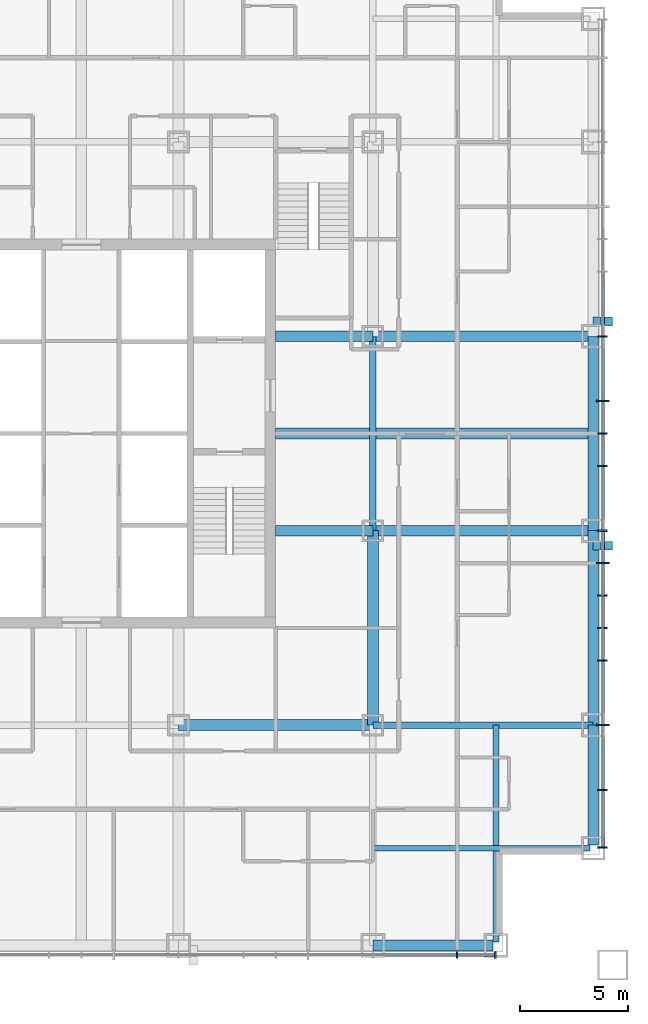
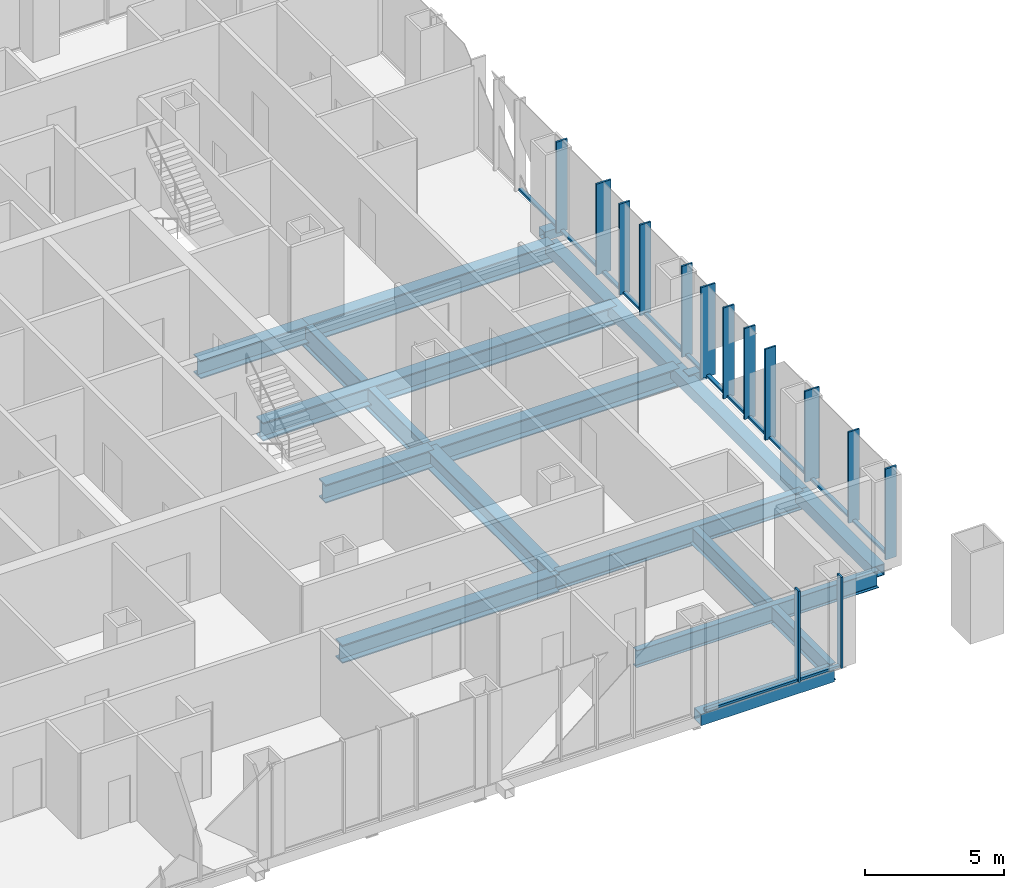
# One storey, part 4 of 18: 30 members, 15 beams, 2 elements without a shape of their own.
"""IFC4 building model written with IfcOpenShell, lengths in metres."""

from ifc_helpers import new_model, si_unit, direction, frame, origin, origin_2d, place, context, subcontext, project, spatial, rectangle, hollow_rectangle, i_section, extrude, material, layer, layer_set, material_profile, profile_set, type_object, element, aggregate, save


model = new_model("IFC4")

# Units and contexts
model_context = context("Model", 3, precision=1e-05, world=origin(), true_north=direction((0.0, 1.0)))
body_context = subcontext(model_context, "Body", "Model", "MODEL_VIEW")
ifc_project = project(units=[si_unit("LENGTHUNIT", "METRE"), si_unit("AREAUNIT", "SQUARE_METRE"), si_unit("VOLUMEUNIT", "CUBIC_METRE"), si_unit("PLANEANGLEUNIT", "RADIAN"), si_unit("MASSUNIT", "GRAM", prefix="KILO")], contexts=[model_context])

# Site, building, storey
site_placement = place(None, origin())
site = spatial("IfcSite", under=ifc_project, at=site_placement, CompositionType="ELEMENT")
building_placement = place(site_placement, origin())
building = spatial("IfcBuilding", under=site, at=building_placement, Name="Malebo Sky Hospital", CompositionType="ELEMENT")
storey_placement = place(building_placement, frame((0.0, 0.0, 124.0)))
storey = spatial("IfcBuildingStorey", under=building, at=storey_placement, Name="L29", CompositionType="ELEMENT", Elevation=124.0)

# Curtain wall, members
ifc_material_1 = material(Name="Anodised aluminium, natural silver", Category="aluminium")
ifc_layer_1 = layer(ifc_material_1, 0.25)
ifc_layer_set_1 = layer_set([ifc_layer_1], Name="WARD CURTAIN WALL NORTH AND SOUTH")
curtain_wall_type_1 = type_object("IfcCurtainWallType", Name="WARD CURTAIN WALL NORTH AND SOUTH", PredefinedType="NOTDEFINED", material=ifc_layer_set_1)
curtain_wall_1_placement = place(storey_placement, origin())
curtain_wall_1 = element("IfcCurtainWall", 1, at=curtain_wall_1_placement, inside=storey, type_object=curtain_wall_type_1, Name="NS curtain wall S", PredefinedType="NOTDEFINED")
ifc_material_profile_1 = material_profile(ifc_material_1, rectangle(XDim=0.14990234375, YDim=0.10009765625, at=origin_2d()), Name="ALUMINIUM TRANSOM 150x100")
ifc_profile_set_1 = profile_set([ifc_material_profile_1], Name="Anodised aluminium, natural silver")
member_type_1 = type_object("IfcMemberType", Name="ALUMINIUM TRANSOM 150x100", PredefinedType="USERDEFINED", material=ifc_profile_set_1)
member_1_placement = place(storey_placement, frame((79.125, 37.864990234375, 0.050048828125), z_axis=(-1.0, 0.0, 0.0), x_axis=(0.0, -1.0, 0.0)))
member_1 = element("IfcMember", 2, at=member_1_placement, type_object=member_type_1, Name="Transom 1", ObjectType="TRANSOM", PredefinedType="USERDEFINED", context=body_context, shape_type="SweptSolid", body=[
    extrude(rectangle(XDim=0.14990234375, YDim=0.10009765625, at=origin_2d()), origin(), (0.0, 0.0, 1.0), 1.6875),
])
member_2_placement = place(storey_placement, frame((77.362548828125, 37.864990234375, 0.050048828125), z_axis=(-1.0, 0.0, 0.0), x_axis=(0.0, -1.0, 0.0)))
member_2 = element("IfcMember", 3, at=member_2_placement, type_object=member_type_1, Name="Transom 2", ObjectType="TRANSOM", PredefinedType="USERDEFINED", context=body_context, shape_type="SweptSolid", body=[
    extrude(rectangle(XDim=0.14990234375, YDim=0.10009765625, at=origin_2d()), origin(), (0.0, 0.0, 1.0), 3.824951171875),
])

ifc_layer_2 = layer(ifc_material_1, 0.25)
ifc_layer_set_2 = layer_set([ifc_layer_2], Name="WARD CURTAIN WALL EAST AND WEST")
curtain_wall_type_2 = type_object("IfcCurtainWallType", Name="WARD CURTAIN WALL EAST AND WEST", PredefinedType="NOTDEFINED", material=ifc_layer_set_2)
curtain_wall_2_placement = place(storey_placement, origin())
curtain_wall_2 = element("IfcCurtainWall", 4, at=curtain_wall_2_placement, inside=storey, type_object=curtain_wall_type_2, Name="EW curtain wall E", PredefinedType="NOTDEFINED")
member_3_placement = place(storey_placement, frame((84.135009765625, 69.46240234375, 0.050048828125), z_axis=(0.0, -1.0, 0.0), x_axis=(1.0, 0.0, 0.0)))
member_3 = element("IfcMember", 5, at=member_3_placement, type_object=member_type_1, Name="Transom 6", ObjectType="TRANSOM", PredefinedType="USERDEFINED", context=body_context, shape_type="SweptSolid", body=[
    extrude(rectangle(XDim=0.14990234375, YDim=0.10009765625, at=origin_2d()), origin(), (0.0, 0.0, 1.0), 2.9248046875),
])
member_4_placement = place(storey_placement, frame((84.135009765625, 66.46240234375, 0.050048828125), z_axis=(0.0, -1.0, 0.0), x_axis=(1.0, 0.0, 0.0)))
member_4 = element("IfcMember", 6, at=member_4_placement, type_object=member_type_1, Name="Transom 7", ObjectType="TRANSOM", PredefinedType="USERDEFINED", context=body_context, shape_type="SweptSolid", body=[
    extrude(rectangle(XDim=0.14990234375, YDim=0.10009765625, at=origin_2d()), origin(), (0.0, 0.0, 1.0), 2.9248046875),
])
member_5_placement = place(storey_placement, frame((84.135009765625, 63.46240234375, 0.050048828125), z_axis=(0.0, -1.0, 0.0), x_axis=(1.0, 0.0, 0.0)))
member_5 = element("IfcMember", 7, at=member_5_placement, type_object=member_type_1, Name="Transom 8", ObjectType="TRANSOM", PredefinedType="USERDEFINED", context=body_context, shape_type="SweptSolid", body=[
    extrude(rectangle(XDim=0.14990234375, YDim=0.10009765625, at=origin_2d()), origin(), (0.0, 0.0, 1.0), 1.4248046875),
])
member_6_placement = place(storey_placement, frame((84.135009765625, 61.96240234375, 0.050048828125), z_axis=(0.0, -1.0, 0.0), x_axis=(1.0, 0.0, 0.0)))
member_6 = element("IfcMember", 8, at=member_6_placement, type_object=member_type_1, Name="Transom 9", ObjectType="TRANSOM", PredefinedType="USERDEFINED", context=body_context, shape_type="SweptSolid", body=[
    extrude(rectangle(XDim=0.14990234375, YDim=0.10009765625, at=origin_2d()), origin(), (0.0, 0.0, 1.0), 1.4248046875),
])
member_7_placement = place(storey_placement, frame((84.135009765625, 60.46240234375, 0.050048828125), z_axis=(0.0, -1.0, 0.0), x_axis=(1.0, 0.0, 0.0)))
member_7 = element("IfcMember", 9, at=member_7_placement, type_object=member_type_1, Name="Transom 10", ObjectType="TRANSOM", PredefinedType="USERDEFINED", context=body_context, shape_type="SweptSolid", body=[
    extrude(rectangle(XDim=0.14990234375, YDim=0.10009765625, at=origin_2d()), origin(), (0.0, 0.0, 1.0), 2.9248046875),
])
member_8_placement = place(storey_placement, frame((84.135009765625, 57.46240234375, 0.050048828125), z_axis=(0.0, -1.0, 0.0), x_axis=(1.0, 0.0, 0.0)))
member_8 = element("IfcMember", 10, at=member_8_placement, type_object=member_type_1, Name="Transom 11", ObjectType="TRANSOM", PredefinedType="USERDEFINED", context=body_context, shape_type="SweptSolid", body=[
    extrude(rectangle(XDim=0.14990234375, YDim=0.10009765625, at=origin_2d()), origin(), (0.0, 0.0, 1.0), 1.4248046875),
])
member_9_placement = place(storey_placement, frame((84.135009765625, 55.96240234375, 0.050048828125), z_axis=(0.0, -1.0, 0.0), x_axis=(1.0, 0.0, 0.0)))
member_9 = element("IfcMember", 11, at=member_9_placement, type_object=member_type_1, Name="Transom 12", ObjectType="TRANSOM", PredefinedType="USERDEFINED", context=body_context, shape_type="SweptSolid", body=[
    extrude(rectangle(XDim=0.14990234375, YDim=0.10009765625, at=origin_2d()), origin(), (0.0, 0.0, 1.0), 1.4248046875),
])
member_10_placement = place(storey_placement, frame((84.135009765625, 54.46240234375, 0.050048828125), z_axis=(0.0, -1.0, 0.0), x_axis=(1.0, 0.0, 0.0)))
member_10 = element("IfcMember", 12, at=member_10_placement, type_object=member_type_1, Name="Transom 13", ObjectType="TRANSOM", PredefinedType="USERDEFINED", context=body_context, shape_type="SweptSolid", body=[
    extrude(rectangle(XDim=0.14990234375, YDim=0.10009765625, at=origin_2d()), origin(), (0.0, 0.0, 1.0), 1.4248046875),
])
member_11_placement = place(storey_placement, frame((84.135009765625, 52.96240234375, 0.050048828125), z_axis=(0.0, -1.0, 0.0), x_axis=(1.0, 0.0, 0.0)))
member_11 = element("IfcMember", 13, at=member_11_placement, type_object=member_type_1, Name="Transom 14", ObjectType="TRANSOM", PredefinedType="USERDEFINED", context=body_context, shape_type="SweptSolid", body=[
    extrude(rectangle(XDim=0.14990234375, YDim=0.10009765625, at=origin_2d()), origin(), (0.0, 0.0, 1.0), 1.4248046875),
])
member_12_placement = place(storey_placement, frame((84.135009765625, 51.46240234375, 0.050048828125), z_axis=(0.0, -1.0, 0.0), x_axis=(1.0, 0.0, 0.0)))
member_12 = element("IfcMember", 14, at=member_12_placement, type_object=member_type_1, Name="Transom 15", ObjectType="TRANSOM", PredefinedType="USERDEFINED", context=body_context, shape_type="SweptSolid", body=[
    extrude(rectangle(XDim=0.14990234375, YDim=0.10009765625, at=origin_2d()), origin(), (0.0, 0.0, 1.0), 2.9248046875),
])
member_13_placement = place(storey_placement, frame((84.135009765625, 48.46240234375, 0.050048828125), z_axis=(0.0, -1.0, 0.0), x_axis=(1.0, 0.0, 0.0)))
member_13 = element("IfcMember", 15, at=member_13_placement, type_object=member_type_1, Name="Transom 16", ObjectType="TRANSOM", PredefinedType="USERDEFINED", context=body_context, shape_type="SweptSolid", body=[
    extrude(rectangle(XDim=0.14990234375, YDim=0.10009765625, at=origin_2d()), origin(), (0.0, 0.0, 1.0), 2.9248046875),
])
member_14_placement = place(storey_placement, frame((84.135009765625, 45.46240234375, 0.050048828125), z_axis=(0.0, -1.0, 0.0), x_axis=(1.0, 0.0, 0.0)))
member_14 = element("IfcMember", 16, at=member_14_placement, type_object=member_type_1, Name="Transom 17", ObjectType="TRANSOM", PredefinedType="USERDEFINED", context=body_context, shape_type="SweptSolid", body=[
    extrude(rectangle(XDim=0.14990234375, YDim=0.10009765625, at=origin_2d()), origin(), (0.0, 0.0, 1.0), 2.58740234375),
])

# Members
ifc_material_2 = material(Name="Steel S355", Category="steel")
ifc_material_profile_2 = material_profile(ifc_material_2, hollow_rectangle(XDim=0.39990234375, YDim=0.39990234375, WallThickness=0.02001953125, at=origin_2d()), Name="SHS 400x20")
ifc_profile_set_2 = profile_set([ifc_material_profile_2], Name="Steel S355")
member_type_2 = type_object("IfcMemberType", Name="BRACE STRUT SHS 400x20", PredefinedType="STRUT", material=ifc_profile_set_2)
for number, where, z_axis, x_axis, name in (
    (17, (84.60009765625, 67.18701171875, -0.39990234375), (-1.0, 0.0, 0.0), (0.0, -1.0, 0.0), "Brace strut BE1 L29"),
    (18, (84.60009765625, 56.81298828125, -0.39990234375), (-1.0, 0.0, 0.0), (0.0, -1.0, 0.0), "Brace strut BE2 L29"),
):
    element("IfcMember", number, at=place(storey_placement, frame(where, z_axis=z_axis, x_axis=x_axis)), inside=storey, type_object=member_type_2, Name=name, PredefinedType="STRUT", context=body_context, shape_type="SweptSolid", body=[
        extrude(hollow_rectangle(XDim=0.39990234375, YDim=0.39990234375, WallThickness=0.02001953125, at=origin_2d()), origin(), (0.0, 0.0, 1.0), 0.900146484375),
    ])

# Member
ifc_material_profile_3 = material_profile(ifc_material_1, rectangle(XDim=0.074951171875, YDim=0.300048828125, at=origin_2d()), Name="CW1 ALUMINIUM FIN MULLION 75x300")
ifc_profile_set_3 = profile_set([ifc_material_profile_3], Name="Anodised aluminium, natural silver")
member_type_3 = type_object("IfcMemberType", Name="CW1 ALUMINIUM FIN MULLION 75x300", PredefinedType="MULLION", material=ifc_profile_set_3)
member_15_placement = place(storey_placement, frame((79.16259765625, 37.864990234375, 0.0), z_axis=(0.0, 0.0, 1.0), x_axis=(-1.0, 0.0, 0.0)))
member_15 = element("IfcMember", 19, at=member_15_placement, type_object=member_type_3, Name="Fin mullion 1", PredefinedType="MULLION", context=body_context, shape_type="SweptSolid", body=[
    extrude(rectangle(XDim=0.074951171875, YDim=0.300048828125, at=origin_2d()), origin(), (0.0, 0.0, 1.0), 4.0),
])

member_16_placement = place(storey_placement, frame((77.39990234375, 37.864990234375, 0.0), z_axis=(0.0, 0.0, 1.0), x_axis=(-1.0, 0.0, 0.0)))
member_16 = element("IfcMember", 20, at=member_16_placement, type_object=member_type_3, Name="Fin mullion 2", PredefinedType="MULLION", context=body_context, shape_type="SweptSolid", body=[
    extrude(rectangle(XDim=0.074951171875, YDim=0.300048828125, at=origin_2d()), origin(), (0.0, 0.0, 1.0), 4.0),
])

aggregate(curtain_wall_1, [member_15, member_16, member_1, member_2])

ifc_material_profile_4 = material_profile(ifc_material_1, rectangle(XDim=0.074951171875, YDim=0.449951171875, at=origin_2d()), Name="CW2 ALUMINIUM FIN MULLION 75x450")
ifc_profile_set_4 = profile_set([ifc_material_profile_4], Name="Anodised aluminium, natural silver")
member_type_4 = type_object("IfcMemberType", Name="CW2 ALUMINIUM FIN MULLION 75x450", PredefinedType="MULLION", material=ifc_profile_set_4)
member_17_placement = place(storey_placement, frame((84.135009765625, 66.5, 0.0), z_axis=(0.0, 0.0, 1.0), x_axis=(0.0, -1.0, 0.0)))
member_17 = element("IfcMember", 21, at=member_17_placement, type_object=member_type_4, Name="Fin mullion 7", PredefinedType="MULLION", context=body_context, shape_type="SweptSolid", body=[
    extrude(rectangle(XDim=0.074951171875, YDim=0.449951171875, at=origin_2d()), origin(), (0.0, 0.0, 1.0), 4.0),
])

member_18_placement = place(storey_placement, frame((84.135009765625, 62.0, 0.0), z_axis=(0.0, 0.0, 1.0), x_axis=(0.0, -1.0, 0.0)))
member_18 = element("IfcMember", 22, at=member_18_placement, type_object=member_type_4, Name="Fin mullion 9", PredefinedType="MULLION", context=body_context, shape_type="SweptSolid", body=[
    extrude(rectangle(XDim=0.074951171875, YDim=0.449951171875, at=origin_2d()), origin(), (0.0, 0.0, 1.0), 4.0),
])

member_19_placement = place(storey_placement, frame((84.135009765625, 60.5, 0.0), z_axis=(0.0, 0.0, 1.0), x_axis=(0.0, -1.0, 0.0)))
member_19 = element("IfcMember", 23, at=member_19_placement, type_object=member_type_4, Name="Fin mullion 10", PredefinedType="MULLION", context=body_context, shape_type="SweptSolid", body=[
    extrude(rectangle(XDim=0.074951171875, YDim=0.449951171875, at=origin_2d()), origin(), (0.0, 0.0, 1.0), 4.0),
])

member_20_placement = place(storey_placement, frame((84.135009765625, 57.5, 0.0), z_axis=(0.0, 0.0, 1.0), x_axis=(0.0, -1.0, 0.0)))
member_20 = element("IfcMember", 24, at=member_20_placement, type_object=member_type_4, Name="Fin mullion 11", PredefinedType="MULLION", context=body_context, shape_type="SweptSolid", body=[
    extrude(rectangle(XDim=0.074951171875, YDim=0.449951171875, at=origin_2d()), origin(), (0.0, 0.0, 1.0), 4.0),
])

member_21_placement = place(storey_placement, frame((84.135009765625, 54.5, 0.0), z_axis=(0.0, 0.0, 1.0), x_axis=(0.0, -1.0, 0.0)))
member_21 = element("IfcMember", 25, at=member_21_placement, type_object=member_type_4, Name="Fin mullion 13", PredefinedType="MULLION", context=body_context, shape_type="SweptSolid", body=[
    extrude(rectangle(XDim=0.074951171875, YDim=0.449951171875, at=origin_2d()), origin(), (0.0, 0.0, 1.0), 4.0),
])

member_22_placement = place(storey_placement, frame((84.135009765625, 53.0, 0.0), z_axis=(0.0, 0.0, 1.0), x_axis=(0.0, -1.0, 0.0)))
member_22 = element("IfcMember", 26, at=member_22_placement, type_object=member_type_4, Name="Fin mullion 14", PredefinedType="MULLION", context=body_context, shape_type="SweptSolid", body=[
    extrude(rectangle(XDim=0.074951171875, YDim=0.449951171875, at=origin_2d()), origin(), (0.0, 0.0, 1.0), 4.0),
])

member_23_placement = place(storey_placement, frame((84.135009765625, 51.5, 0.0), z_axis=(0.0, 0.0, 1.0), x_axis=(0.0, -1.0, 0.0)))
member_23 = element("IfcMember", 27, at=member_23_placement, type_object=member_type_4, Name="Fin mullion 15", PredefinedType="MULLION", context=body_context, shape_type="SweptSolid", body=[
    extrude(rectangle(XDim=0.074951171875, YDim=0.449951171875, at=origin_2d()), origin(), (0.0, 0.0, 1.0), 4.0),
])

member_24_placement = place(storey_placement, frame((84.135009765625, 45.5, 0.0), z_axis=(0.0, 0.0, 1.0), x_axis=(0.0, -1.0, 0.0)))
member_24 = element("IfcMember", 28, at=member_24_placement, type_object=member_type_4, Name="Fin mullion 17", PredefinedType="MULLION", context=body_context, shape_type="SweptSolid", body=[
    extrude(rectangle(XDim=0.074951171875, YDim=0.449951171875, at=origin_2d()), origin(), (0.0, 0.0, 1.0), 4.0),
])

member_25_placement = place(storey_placement, frame((84.135009765625, 42.83740234375, 0.0), z_axis=(0.0, 0.0, 1.0), x_axis=(0.0, -1.0, 0.0)))
member_25 = element("IfcMember", 29, at=member_25_placement, type_object=member_type_4, Name="Fin mullion 18", PredefinedType="MULLION", context=body_context, shape_type="SweptSolid", body=[
    extrude(rectangle(XDim=0.074951171875, YDim=0.449951171875, at=origin_2d()), origin(), (0.0, 0.0, 1.0), 4.0),
])

ifc_material_profile_5 = material_profile(ifc_material_1, rectangle(XDim=0.074951171875, YDim=0.60009765625, at=origin_2d()), Name="CW2 ALUMINIUM FIN MULLION 75x600")
ifc_profile_set_5 = profile_set([ifc_material_profile_5], Name="Anodised aluminium, natural silver")
member_type_5 = type_object("IfcMemberType", Name="CW2 ALUMINIUM FIN MULLION 75x600", PredefinedType="MULLION", material=ifc_profile_set_5)
member_26_placement = place(storey_placement, frame((84.135009765625, 63.5, 0.0), z_axis=(0.0, 0.0, 1.0), x_axis=(0.0, -1.0, 0.0)))
member_26 = element("IfcMember", 30, at=member_26_placement, type_object=member_type_5, Name="Fin mullion 8", PredefinedType="MULLION", context=body_context, shape_type="SweptSolid", body=[
    extrude(rectangle(XDim=0.074951171875, YDim=0.60009765625, at=origin_2d()), origin(), (0.0, 0.0, 1.0), 4.0),
])

member_27_placement = place(storey_placement, frame((84.135009765625, 56.0, 0.0), z_axis=(0.0, 0.0, 1.0), x_axis=(0.0, -1.0, 0.0)))
member_27 = element("IfcMember", 31, at=member_27_placement, type_object=member_type_5, Name="Fin mullion 12", PredefinedType="MULLION", context=body_context, shape_type="SweptSolid", body=[
    extrude(rectangle(XDim=0.074951171875, YDim=0.60009765625, at=origin_2d()), origin(), (0.0, 0.0, 1.0), 4.0),
])

member_28_placement = place(storey_placement, frame((84.135009765625, 48.5, 0.0), z_axis=(0.0, 0.0, 1.0), x_axis=(0.0, -1.0, 0.0)))
member_28 = element("IfcMember", 32, at=member_28_placement, type_object=member_type_5, Name="Fin mullion 16", PredefinedType="MULLION", context=body_context, shape_type="SweptSolid", body=[
    extrude(rectangle(XDim=0.074951171875, YDim=0.60009765625, at=origin_2d()), origin(), (0.0, 0.0, 1.0), 4.0),
])

aggregate(curtain_wall_2, [member_17, member_26, member_18, member_19, member_20, member_27, member_21, member_22, member_23, member_28, member_24, member_25, member_3, member_4, member_5, member_6, member_7, member_8, member_9, member_10, member_11, member_12, member_13, member_14])

# Beams
ifc_material_3 = material(Name="Steel S460", Category="steel")
ifc_material_profile_6 = material_profile(ifc_material_3, hollow_rectangle(XDim=0.5, YDim=0.5, WallThickness=0.030029296875, at=origin_2d()), Name="BOX 500x500x30")
ifc_profile_set_6 = profile_set([ifc_material_profile_6], Name="Steel S460")
beam_type_1 = type_object("IfcBeamType", Name="EDGE BEAM BOX 500x500x30", PredefinedType="BEAM", material=ifc_profile_set_6)
beam_1_placement = place(storey_placement, frame((83.699951171875, 42.949951171875, -0.5), z_axis=(0.0, 1.0, 0.0), x_axis=(-1.0, 0.0, 0.0)))
element("IfcBeam", 33, at=beam_1_placement, inside=storey, type_object=beam_type_1, Name="Beam 029 L29", PredefinedType="BEAM", context=body_context, shape_type="SweptSolid", body=[
    extrude(hollow_rectangle(XDim=0.5, YDim=0.5, WallThickness=0.030029296875, at=origin_2d()), origin(), (0.0, 0.0, 1.0), 5.550048828125),
])
for number, where, z_axis, x_axis, name in (
    (34, (83.699951171875, 48.5, -0.5), (0.0, 1.0, 0.0), (-1.0, 0.0, 0.0), "Beam 030 L29"),
    (35, (83.699951171875, 57.5, -0.5), (0.0, 1.0, 0.0), (-1.0, 0.0, 0.0), "Beam 031 L29"),
):
    element("IfcBeam", number, at=place(storey_placement, frame(where, z_axis=z_axis, x_axis=x_axis)), inside=storey, type_object=beam_type_1, Name=name, PredefinedType="BEAM", context=body_context, shape_type="SweptSolid", body=[
        extrude(hollow_rectangle(XDim=0.5, YDim=0.5, WallThickness=0.030029296875, at=origin_2d()), origin(), (0.0, 0.0, 1.0), 9.0),
    ])
beam_2_placement = place(storey_placement, frame((73.5, 38.300048828125, -0.5), z_axis=(1.0, 0.0, 0.0), x_axis=(0.0, 1.0, 0.0)))
element("IfcBeam", 36, at=beam_2_placement, inside=storey, type_object=beam_type_1, Name="Beam 038 L29", PredefinedType="BEAM", context=body_context, shape_type="SweptSolid", body=[
    extrude(hollow_rectangle(XDim=0.5, YDim=0.5, WallThickness=0.030029296875, at=origin_2d()), origin(), (0.0, 0.0, 1.0), 5.550048828125),
])
ifc_material_profile_7 = material_profile(ifc_material_2, i_section(OverallWidth=0.262939453125, OverallDepth=0.7529296875, WebThickness=0.011474609375, FlangeThickness=0.01708984375, FilletRadius=0.01708984375, at=origin_2d()), Name="IPE 750x137")
ifc_profile_set_7 = profile_set([ifc_material_profile_7], Name="Steel S355")
beam_type_2 = type_object("IfcBeamType", Name="FLOOR BEAM IPE 750x137", PredefinedType="BEAM", material=ifc_profile_set_7)
for number, where, z_axis, x_axis, name in (
    (37, (79.199951171875, 38.449951171875, -0.62646484375), (0.0, 1.0, 0.0), (-1.0, 0.0, 0.0), "Beam 027 L29"),
    (38, (73.5, 42.800048828125, -0.62646484375), (1.0, 0.0, 0.0), (0.0, 1.0, 0.0), "Beam 040 L29"),
):
    element("IfcBeam", number, at=place(storey_placement, frame(where, z_axis=z_axis, x_axis=x_axis)), inside=storey, type_object=beam_type_2, Name=name, PredefinedType="BEAM", context=body_context, shape_type="SweptSolid", body=[
        extrude(i_section(OverallWidth=0.262939453125, OverallDepth=0.7529296875, WebThickness=0.011474609375, FlangeThickness=0.01708984375, FilletRadius=0.01708984375, at=origin_2d()), origin(), (0.0, 0.0, 1.0), 10.050048828125),
    ])
ifc_material_profile_8 = material_profile(ifc_material_2, i_section(OverallWidth=0.5, OverallDepth=0.800048828125, WebThickness=0.030029296875, FlangeThickness=0.050048828125, at=origin_2d()), Name="PG 800x500x30x50")
ifc_profile_set_8 = profile_set([ifc_material_profile_8], Name="Steel S355")
beam_type_3 = type_object("IfcBeamType", Name="FLOOR BEAM PG 800x500x30x50", PredefinedType="BEAM", material=ifc_profile_set_8)
for number, where, z_axis, x_axis, name in (
    (39, (73.5, 48.5, -0.64990234375), (0.0, 1.0, 0.0), (-1.0, 0.0, 0.0), "Beam 023 L29"),
    (40, (64.5, 48.5, -0.64990234375), (1.0, 0.0, 0.0), (0.0, 1.0, 0.0), "Beam 044 L29"),
):
    element("IfcBeam", number, at=place(storey_placement, frame(where, z_axis=z_axis, x_axis=x_axis)), inside=storey, type_object=beam_type_3, Name=name, PredefinedType="BEAM", context=body_context, shape_type="SweptSolid", body=[
        extrude(i_section(OverallWidth=0.5, OverallDepth=0.800048828125, WebThickness=0.030029296875, FlangeThickness=0.050048828125, at=origin_2d()), origin(), (0.0, 0.0, 1.0), 9.0),
    ])
beam_3_placement = place(storey_placement, frame((69.0, 57.5, -0.64990234375), z_axis=(1.0, 0.0, 0.0), x_axis=(0.0, 1.0, 0.0)))
element("IfcBeam", 41, at=beam_3_placement, inside=storey, type_object=beam_type_3, Name="Beam 048 L29", PredefinedType="BEAM", context=body_context, shape_type="SweptSolid", body=[
    extrude(i_section(OverallWidth=0.5, OverallDepth=0.800048828125, WebThickness=0.030029296875, FlangeThickness=0.050048828125, at=origin_2d()), origin(), (0.0, 0.0, 1.0), 4.5),
])
beam_4_placement = place(storey_placement, frame((73.5, 57.5, -0.64990234375), z_axis=(1.0, 0.0, 0.0), x_axis=(0.0, 1.0, 0.0)))
element("IfcBeam", 42, at=beam_4_placement, inside=storey, type_object=beam_type_3, Name="Beam 049 L29", PredefinedType="BEAM", context=body_context, shape_type="SweptSolid", body=[
    extrude(i_section(OverallWidth=0.5, OverallDepth=0.800048828125, WebThickness=0.030029296875, FlangeThickness=0.050048828125, at=origin_2d()), origin(), (0.0, 0.0, 1.0), 10.199951171875),
])
beam_5_placement = place(storey_placement, frame((69.0, 62.0, -0.64990234375), z_axis=(1.0, 0.0, 0.0), x_axis=(0.0, 1.0, 0.0)))
element("IfcBeam", 43, at=beam_5_placement, inside=storey, type_object=beam_type_3, Name="Beam 051 L29", PredefinedType="BEAM", context=body_context, shape_type="SweptSolid", body=[
    extrude(i_section(OverallWidth=0.5, OverallDepth=0.800048828125, WebThickness=0.030029296875, FlangeThickness=0.050048828125, at=origin_2d()), origin(), (0.0, 0.0, 1.0), 14.699951171875),
])
beam_6_placement = place(storey_placement, frame((69.0, 66.5, -0.64990234375), z_axis=(1.0, 0.0, 0.0), x_axis=(0.0, 1.0, 0.0)))
element("IfcBeam", 44, at=beam_6_placement, inside=storey, type_object=beam_type_3, Name="Beam 054 L29", PredefinedType="BEAM", context=body_context, shape_type="SweptSolid", body=[
    extrude(i_section(OverallWidth=0.5, OverallDepth=0.800048828125, WebThickness=0.030029296875, FlangeThickness=0.050048828125, at=origin_2d()), origin(), (0.0, 0.0, 1.0), 4.5),
])
beam_7_placement = place(storey_placement, frame((73.5, 66.5, -0.64990234375), z_axis=(1.0, 0.0, 0.0), x_axis=(0.0, 1.0, 0.0)))
element("IfcBeam", 45, at=beam_7_placement, inside=storey, type_object=beam_type_3, Name="Beam 055 L29", PredefinedType="BEAM", context=body_context, shape_type="SweptSolid", body=[
    extrude(i_section(OverallWidth=0.5, OverallDepth=0.800048828125, WebThickness=0.030029296875, FlangeThickness=0.050048828125, at=origin_2d()), origin(), (0.0, 0.0, 1.0), 10.199951171875),
])
ifc_material_profile_9 = material_profile(ifc_material_2, i_section(OverallWidth=0.300048828125, OverallDepth=0.800048828125, WebThickness=0.017578125, FlangeThickness=0.032958984375, FilletRadius=0.030029296875, at=origin_2d()), Name="HEB 800")
ifc_profile_set_9 = profile_set([ifc_material_profile_9], Name="Steel S355")
beam_type_4 = type_object("IfcBeamType", Name="FLOOR GIRDER HEB 800", PredefinedType="BEAM", material=ifc_profile_set_9)
beam_8_placement = place(storey_placement, frame((73.5, 48.5, -0.64990234375), z_axis=(1.0, 0.0, 0.0), x_axis=(0.0, 1.0, 0.0)))
element("IfcBeam", 46, at=beam_8_placement, inside=storey, type_object=beam_type_4, Name="Beam 045 L29", PredefinedType="BEAM", context=body_context, shape_type="SweptSolid", body=[
    extrude(i_section(OverallWidth=0.300048828125, OverallDepth=0.800048828125, WebThickness=0.017578125, FlangeThickness=0.032958984375, FilletRadius=0.030029296875, at=origin_2d()), origin(), (0.0, 0.0, 1.0), 10.199951171875),
])
ifc_material_profile_10 = material_profile(ifc_material_2, i_section(OverallWidth=0.300048828125, OverallDepth=1.0, WebThickness=0.01904296875, FlangeThickness=0.035888671875, FilletRadius=0.030029296875, at=origin_2d()), Name="HEB 1000")
ifc_profile_set_10 = profile_set([ifc_material_profile_10], Name="Steel S355")
beam_type_5 = type_object("IfcBeamType", Name="RING GIRDER HEB 1000", PredefinedType="BEAM", material=ifc_profile_set_10)
beam_9_placement = place(storey_placement, frame((73.5, 57.5, -0.75), z_axis=(0.0, 1.0, 0.0), x_axis=(-1.0, 0.0, 0.0)))
element("IfcBeam", 47, at=beam_9_placement, inside=storey, type_object=beam_type_5, Name="Beam 024 L29", PredefinedType="BEAM", context=body_context, shape_type="SweptSolid", body=[
    extrude(i_section(OverallWidth=0.300048828125, OverallDepth=1.0, WebThickness=0.01904296875, FlangeThickness=0.035888671875, FilletRadius=0.030029296875, at=origin_2d()), origin(), (0.0, 0.0, 1.0), 9.0),
])

save(model, "model.ifc")
